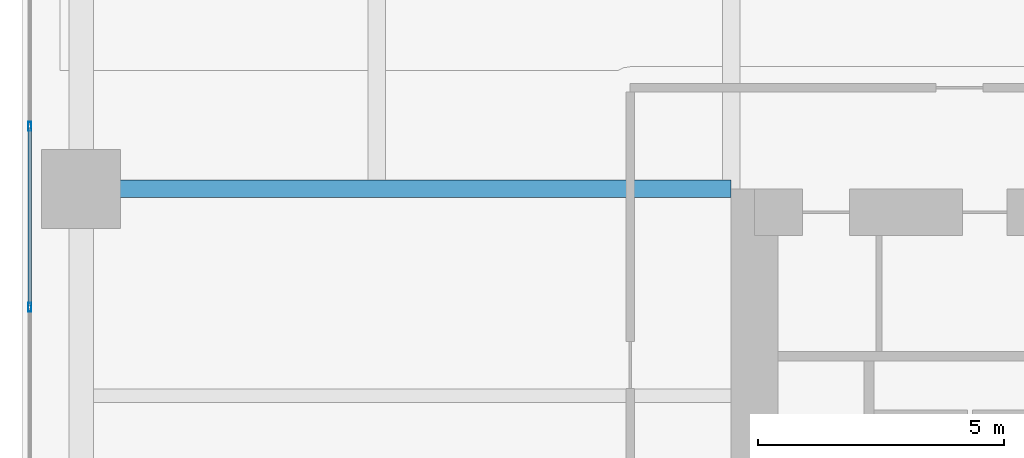
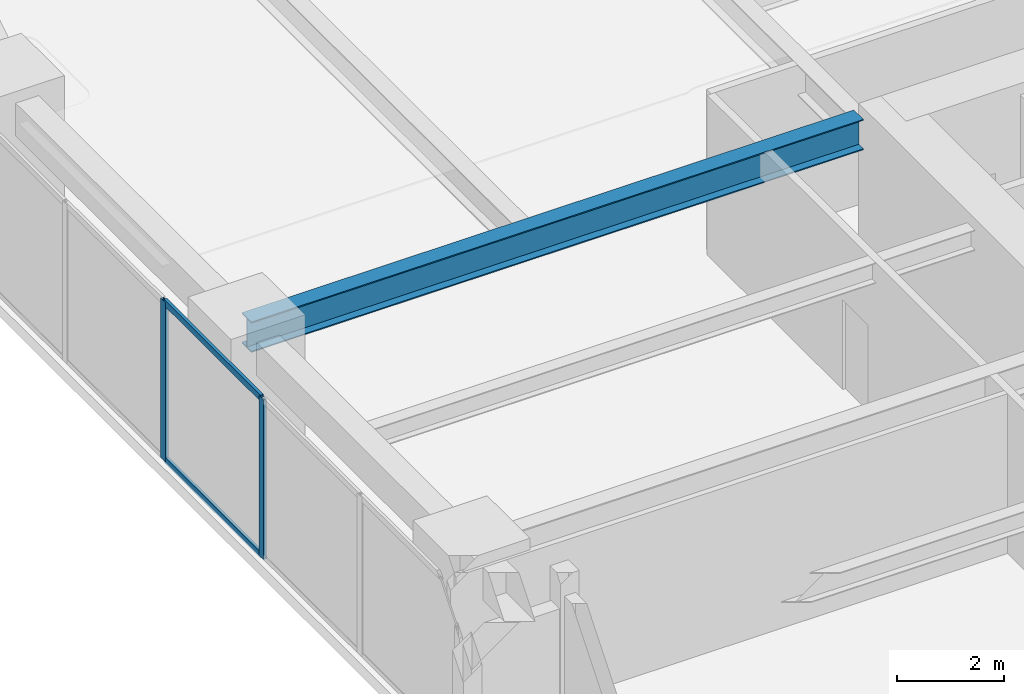
# One storey, part 11 of 29: 4 members, 1 beam, 1 element without a shape of its own.
"""IFC4 building model written with IfcOpenShell, lengths in metres."""

from ifc_helpers import new_model, si_unit, direction, frame, origin, origin_2d, place, context, subcontext, project, spatial, hollow_rectangle, i_section, extrude, material, layer, layer_set, material_profile, profile_set, type_object, element, aggregate, save


model = new_model("IFC4")

# Units and contexts
model_context = context("Model", 3, precision=1e-05, world=origin(), true_north=direction((0.0, 1.0)))
body_context = subcontext(model_context, "Body", "Model", "MODEL_VIEW")
ifc_project = project(units=[si_unit("LENGTHUNIT", "METRE"), si_unit("AREAUNIT", "SQUARE_METRE"), si_unit("VOLUMEUNIT", "CUBIC_METRE"), si_unit("PLANEANGLEUNIT", "RADIAN"), si_unit("MASSUNIT", "GRAM", prefix="KILO")], contexts=[model_context])

# Site, building, storey
site_placement = place(None, origin())
site = spatial("IfcSite", under=ifc_project, at=site_placement, CompositionType="ELEMENT")
building_placement = place(site_placement, origin())
building = spatial("IfcBuilding", under=site, at=building_placement, Name="Kiyonajd Concourse Tower", CompositionType="ELEMENT")
storey_placement = place(building_placement, frame((0.0, 0.0, 25.5)))
storey = spatial("IfcBuildingStorey", under=building, at=storey_placement, Name="L07", CompositionType="ELEMENT", Elevation=25.5)

# Beam
ifc_material_1 = material(Name="Steel ASTM A992 Grade 50", Category="steel")
ifc_material_profile_1 = material_profile(ifc_material_1, i_section(OverallWidth=0.35498046875, OverallDepth=0.695068359375, WebThickness=0.015380859375, FlangeThickness=0.02490234375, at=origin_2d()), Name="W690X217")
ifc_profile_set_1 = profile_set([ifc_material_profile_1], Name="Steel ASTM A992 Grade 50")
beam_type = type_object("IfcBeamType", Name="BM-TWR-690", PredefinedType="BEAM", material=ifc_profile_set_1)
beam_placement = place(storey_placement, frame((19.199951171875, 44.39990234375, 3.29248046875), z_axis=(1.0, 0.0, 0.0), x_axis=(0.0, 1.0, 0.0)))
element("IfcBeam", 1, at=beam_placement, inside=storey, type_object=beam_type, Name="L07 West Lease Girder", PredefinedType="BEAM", context=body_context, shape_type="SweptSolid", body=[
    extrude(i_section(OverallWidth=0.35498046875, OverallDepth=0.695068359375, WebThickness=0.015380859375, FlangeThickness=0.02490234375, at=origin_2d()), origin(), (0.0, 0.0, 1.0), 13.199951171875),
])

# Curtain wall, members
ifc_material_2 = material(Name="Thermally Broken Anodised Aluminium", Category="aluminium")
ifc_layer = layer(ifc_material_2, 0.179931640625)
ifc_layer_set = layer_set([ifc_layer], Name="Thermally Broken Anodised Aluminium")
curtain_wall_type = type_object("IfcCurtainWallType", Name="CW-SYS-02", PredefinedType="NOTDEFINED", material=ifc_layer_set)
curtain_wall_placement = place(storey_placement, origin())
curtain_wall = element("IfcCurtainWall", 2, at=curtain_wall_placement, inside=storey, type_object=curtain_wall_type, Name="L07 Unitised Curtain Wall CW2", PredefinedType="NOTDEFINED")
ifc_material_profile_2 = material_profile(ifc_material_2, hollow_rectangle(XDim=0.06494140625, YDim=0.179931640625, WallThickness=0.00390625, at=origin_2d()), Name="MULL-65x180")
ifc_profile_set_2 = profile_set([ifc_material_profile_2], Name="Thermally Broken Anodised Aluminium")
member_type_1 = type_object("IfcMemberType", Name="MB-CW-MULL1", PredefinedType="MULLION", material=ifc_profile_set_2)
member_1_placement = place(storey_placement, frame((18.159912109375, 41.996337890625, 0.0), z_axis=(0.0, 0.0, 1.0), x_axis=(-1.0, 0.0, 0.0)))
member_1 = element("IfcMember", 3, at=member_1_placement, type_object=member_type_1, Name="CW2 mullion 3", PredefinedType="MULLION", context=body_context, shape_type="SweptSolid", body=[
    extrude(hollow_rectangle(XDim=0.06494140625, YDim=0.179931640625, WallThickness=0.00390625, at=origin_2d()), origin(), (0.0, 0.0, 1.0), 3.639892578125),
])
member_2_placement = place(storey_placement, frame((18.159912109375, 45.66943359375, 0.0), z_axis=(0.0, 0.0, 1.0), x_axis=(-1.0, 0.0, 0.0)))
member_2 = element("IfcMember", 4, at=member_2_placement, type_object=member_type_1, Name="CW2 mullion 4", PredefinedType="MULLION", context=body_context, shape_type="SweptSolid", body=[
    extrude(hollow_rectangle(XDim=0.06494140625, YDim=0.179931640625, WallThickness=0.00390625, at=origin_2d()), origin(), (0.0, 0.0, 1.0), 3.639892578125),
])
ifc_material_profile_3 = material_profile(ifc_material_2, hollow_rectangle(XDim=0.06494140625, YDim=0.139892578125, WallThickness=0.00390625, at=origin_2d()), Name="TRAN-65x140")
ifc_profile_set_3 = profile_set([ifc_material_profile_3], Name="Thermally Broken Anodised Aluminium")
member_type_2 = type_object("IfcMemberType", Name="MB-CW-TRAN1", PredefinedType="USERDEFINED", material=ifc_profile_set_3)
member_3_placement = place(storey_placement, frame((18.159912109375, 42.02880859375, 0.032470703125), z_axis=(0.0, 1.0, 0.0), x_axis=(-1.0, 0.0, 0.0)))
member_3 = element("IfcMember", 5, at=member_3_placement, type_object=member_type_2, Name="CW2 transom 3.1", ObjectType="TRANSOM", PredefinedType="USERDEFINED", context=body_context, shape_type="SweptSolid", body=[
    extrude(hollow_rectangle(XDim=0.06494140625, YDim=0.139892578125, WallThickness=0.00390625, at=origin_2d()), origin(), (0.0, 0.0, 1.0), 3.608154296875),
])
member_4_placement = place(storey_placement, frame((18.159912109375, 42.02880859375, 3.607421875), z_axis=(0.0, 1.0, 0.0), x_axis=(-1.0, 0.0, 0.0)))
member_4 = element("IfcMember", 6, at=member_4_placement, type_object=member_type_2, Name="CW2 transom 3.2", ObjectType="TRANSOM", PredefinedType="USERDEFINED", context=body_context, shape_type="SweptSolid", body=[
    extrude(hollow_rectangle(XDim=0.06494140625, YDim=0.139892578125, WallThickness=0.00390625, at=origin_2d()), origin(), (0.0, 0.0, 1.0), 3.608154296875),
])
aggregate(curtain_wall, [member_1, member_2, member_3, member_4])

save(model, "model.ifc")
